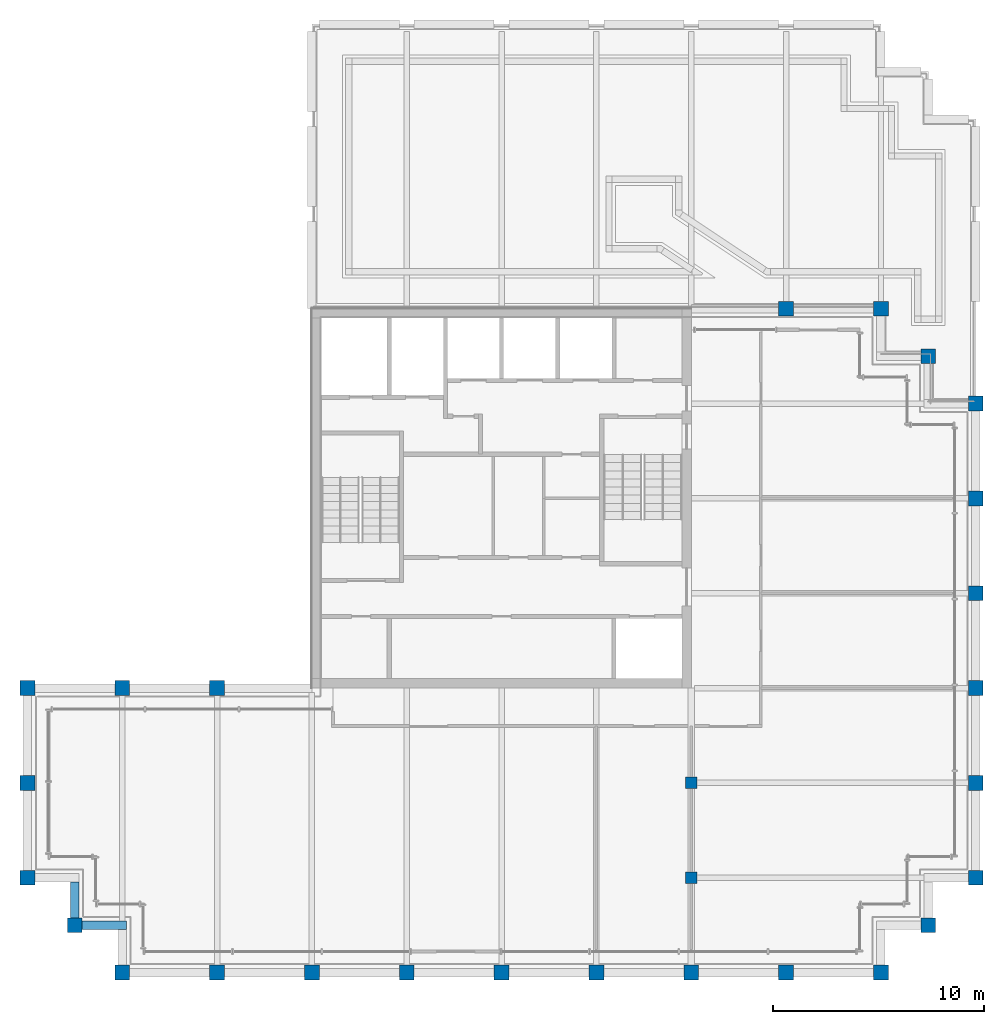
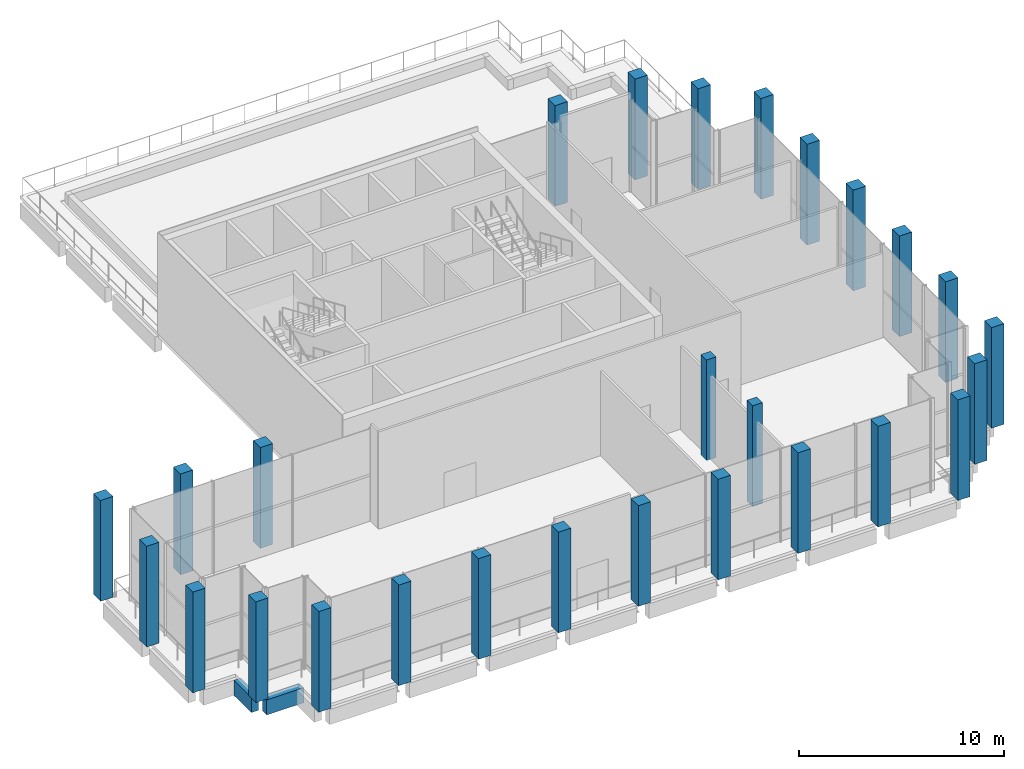
# One storey, part 1 of 15: 27 columns, 2 beams.
"""IFC4 building model written with IfcOpenShell, lengths in metres."""

from ifc_helpers import new_model, si_unit, direction, frame, origin, origin_2d, place, context, subcontext, project, spatial, rectangle, extrude, material, material_profile, profile_set, type_object, element, save


model = new_model("IFC4")

# Units and contexts
model_context = context("Model", 3, precision=1e-05, world=origin(), true_north=direction((0.0, 1.0)))
body_context = subcontext(model_context, "Body", "Model", "MODEL_VIEW")
ifc_project = project(units=[si_unit("LENGTHUNIT", "METRE"), si_unit("AREAUNIT", "SQUARE_METRE"), si_unit("VOLUMEUNIT", "CUBIC_METRE"), si_unit("PLANEANGLEUNIT", "RADIAN"), si_unit("MASSUNIT", "GRAM", prefix="KILO")], contexts=[model_context])

# Site, building, storey
site_placement = place(None, origin())
site = spatial("IfcSite", under=ifc_project, at=site_placement, CompositionType="ELEMENT")
building_placement = place(site_placement, origin())
building = spatial("IfcBuilding", under=site, at=building_placement, Name="Altepetl Exchange Towers", CompositionType="ELEMENT")
storey_placement = place(building_placement, frame((0.0, 0.0, 263.60009765625)))
storey = spatial("IfcBuildingStorey", under=building, at=storey_placement, Name="L67 Observation deck", CompositionType="ELEMENT", Elevation=263.60009765625)

# Columns
ifc_material_1 = material(Name="Concrete C70/85", Category="concrete")
ifc_material_profile_1 = material_profile(ifc_material_1, rectangle(XDim=0.550048828125, YDim=0.550048828125, at=origin_2d()), Name="550 x 550")
ifc_profile_set_1 = profile_set([ifc_material_profile_1], Name="Concrete C70/85")
column_type_1 = type_object("IfcColumnType", Name="Interior column 550", PredefinedType="COLUMN", material=ifc_profile_set_1)
for number, where, name in (
    (1, (58.5, 31.5, 0.0), "col:A:L67:025"),
    (2, (58.5, 36.0, 0.0), "col:A:L67:026"),
):
    element("IfcColumn", number, at=place(storey_placement, frame(where)), inside=storey, type_object=column_type_1, Name=name, PredefinedType="COLUMN", context=body_context, shape_type="SweptSolid", body=[
        extrude(rectangle(XDim=0.550048828125, YDim=0.550048828125, at=origin_2d()), origin(), (0.0, 0.0, 1.0), 6.0),
    ])
ifc_material_2 = material(Name="Concrete C70/85 precast with cantera amarilla facing", Category="concrete")
ifc_material_profile_2 = material_profile(ifc_material_2, rectangle(XDim=0.699951171875, YDim=0.699951171875, at=origin_2d()), Name="700 x 700")
ifc_profile_set_2 = profile_set([ifc_material_profile_2], Name="Concrete C70/85 precast with cantera amarilla facing")
column_type_2 = type_object("IfcColumnType", Name="Perimeter column 700 cantera amarilla", PredefinedType="COLUMN", material=ifc_profile_set_2)
for number, where, name in (
    (3, (58.5, 27.0, 0.0), "col:A:L67:006"),
    (4, (63.0, 27.0, 0.0), "col:A:L67:007"),
    (5, (67.5, 27.0, 0.0), "col:A:L67:008"),
    (6, (69.75, 29.25, 0.0), "col:A:L67:009"),
    (7, (72.0, 31.5, 0.0), "col:A:L67:010"),
    (8, (72.0, 36.0, 0.0), "col:A:L67:011"),
    (9, (72.0, 40.5, 0.0), "col:A:L67:012"),
    (10, (72.0, 45.0, 0.0), "col:A:L67:013"),
    (11, (72.0, 49.5, 0.0), "col:A:L67:014"),
    (12, (72.0, 54.0, 0.0), "col:A:L67:015"),
    (13, (69.75, 56.25, 0.0), "col:A:L67:016"),
):
    element("IfcColumn", number, at=place(storey_placement, frame(where)), inside=storey, type_object=column_type_2, Name=name, PredefinedType="COLUMN", context=body_context, shape_type="SweptSolid", body=[
        extrude(rectangle(XDim=0.699951171875, YDim=0.699951171875, at=origin_2d()), origin(), (0.0, 0.0, 1.0), 6.0),
    ])
ifc_material_3 = material(Name="Concrete C70/85 precast with cantera blanca facing", Category="concrete")
ifc_material_profile_3 = material_profile(ifc_material_3, rectangle(XDim=0.699951171875, YDim=0.699951171875, at=origin_2d()), Name="700 x 700")
ifc_profile_set_3 = profile_set([ifc_material_profile_3], Name="Concrete C70/85 precast with cantera blanca facing")
column_type_3 = type_object("IfcColumnType", Name="Perimeter column 700 cantera blanca", PredefinedType="COLUMN", material=ifc_profile_set_3)
for number, where, name in (
    (14, (31.5, 27.0, 0.0), "col:A:L67:000"),
    (15, (36.0, 27.0, 0.0), "col:A:L67:001"),
    (16, (40.5, 27.0, 0.0), "col:A:L67:002"),
    (17, (45.0, 27.0, 0.0), "col:A:L67:003"),
    (18, (49.5, 27.0, 0.0), "col:A:L67:004"),
    (19, (54.0, 27.0, 0.0), "col:A:L67:005"),
    (20, (27.0, 36.0, 0.0), "col:A:L67:022"),
    (21, (27.0, 31.5, 0.0), "col:A:L67:023"),
    (22, (29.25, 29.25, 0.0), "col:A:L67:024"),
):
    element("IfcColumn", number, at=place(storey_placement, frame(where)), inside=storey, type_object=column_type_3, Name=name, PredefinedType="COLUMN", context=body_context, shape_type="SweptSolid", body=[
        extrude(rectangle(XDim=0.699951171875, YDim=0.699951171875, at=origin_2d()), origin(), (0.0, 0.0, 1.0), 6.0),
    ])
ifc_material_4 = material(Name="Concrete C70/85 precast with cantera rosa facing", Category="concrete")
ifc_material_profile_4 = material_profile(ifc_material_4, rectangle(XDim=0.699951171875, YDim=0.699951171875, at=origin_2d()), Name="700 x 700")
ifc_profile_set_4 = profile_set([ifc_material_profile_4], Name="Concrete C70/85 precast with cantera rosa facing")
column_type_4 = type_object("IfcColumnType", Name="Perimeter column 700 cantera rosa", PredefinedType="COLUMN", material=ifc_profile_set_4)
for number, where, name in (
    (23, (67.5, 58.5, 0.0), "col:A:L67:017"),
    (24, (63.0, 58.5, 0.0), "col:A:L67:018"),
):
    element("IfcColumn", number, at=place(storey_placement, frame(where)), inside=storey, type_object=column_type_4, Name=name, PredefinedType="COLUMN", context=body_context, shape_type="SweptSolid", body=[
        extrude(rectangle(XDim=0.699951171875, YDim=0.699951171875, at=origin_2d()), origin(), (0.0, 0.0, 1.0), 6.0),
    ])
ifc_material_5 = material(Name="Concrete C70/85 precast with tezontle facing", Category="concrete")
ifc_material_profile_5 = material_profile(ifc_material_5, rectangle(XDim=0.699951171875, YDim=0.699951171875, at=origin_2d()), Name="700 x 700")
ifc_profile_set_5 = profile_set([ifc_material_profile_5], Name="Concrete C70/85 precast with tezontle facing")
column_type_5 = type_object("IfcColumnType", Name="Perimeter column 700 tezontle", PredefinedType="COLUMN", material=ifc_profile_set_5)
for number, where, name in (
    (25, (36.0, 40.5, 0.0), "col:A:L67:019"),
    (26, (31.5, 40.5, 0.0), "col:A:L67:020"),
    (27, (27.0, 40.5, 0.0), "col:A:L67:021"),
):
    element("IfcColumn", number, at=place(storey_placement, frame(where)), inside=storey, type_object=column_type_5, Name=name, PredefinedType="COLUMN", context=body_context, shape_type="SweptSolid", body=[
        extrude(rectangle(XDim=0.699951171875, YDim=0.699951171875, at=origin_2d()), origin(), (0.0, 0.0, 1.0), 6.0),
    ])

# Beams
ifc_material_6 = material(Name="Concrete C50/60 precast with cantera blanca facing", Category="concrete")
ifc_material_profile_6 = material_profile(ifc_material_6, rectangle(XDim=0.39990234375, YDim=0.89990234375, at=origin_2d()), Name="400 x 900")
ifc_profile_set_6 = profile_set([ifc_material_profile_6], Name="Concrete C50/60 precast with cantera blanca facing")
beam_type = type_object("IfcBeamType", Name="Spandrel beam 400x900 cantera blanca", PredefinedType="SPANDREL", material=ifc_profile_set_6)
beam_1_placement = place(storey_placement, frame((29.25, 31.300048828125, -0.625), z_axis=(0.0, -1.0, 0.0), x_axis=(1.0, 0.0, 0.0)))
element("IfcBeam", 28, at=beam_1_placement, inside=storey, type_object=beam_type, Name="sp:A:L67:029", PredefinedType="SPANDREL", context=body_context, shape_type="SweptSolid", body=[
    extrude(rectangle(XDim=0.39990234375, YDim=0.89990234375, at=origin_2d()), origin(), (0.0, 0.0, 1.0), 1.699951171875),
])
beam_2_placement = place(storey_placement, frame((29.60009765625, 29.25, -0.625), z_axis=(1.0, 0.0, 0.0), x_axis=(0.0, 1.0, 0.0)))
element("IfcBeam", 29, at=beam_2_placement, inside=storey, type_object=beam_type, Name="sp:A:L67:030", PredefinedType="SPANDREL", context=body_context, shape_type="SweptSolid", body=[
    extrude(rectangle(XDim=0.39990234375, YDim=0.89990234375, at=origin_2d()), origin(), (0.0, 0.0, 1.0), 2.099853515625),
])

save(model, "model.ifc")
